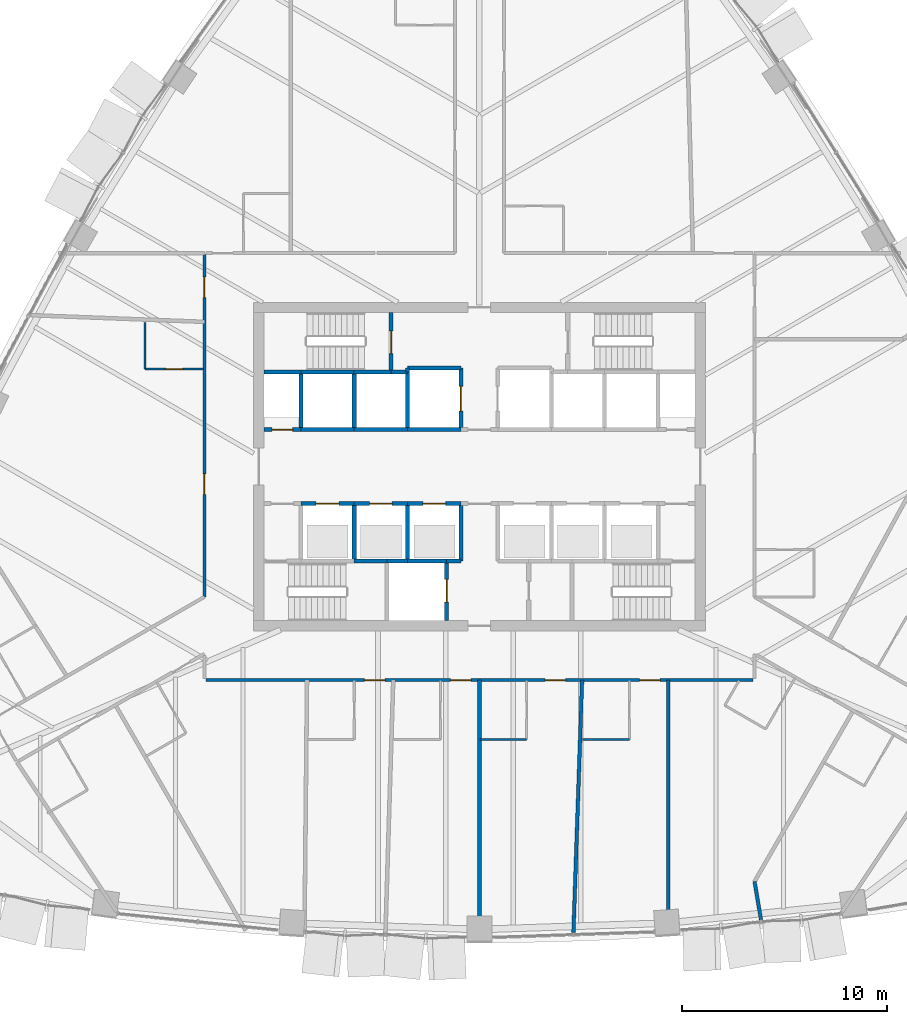
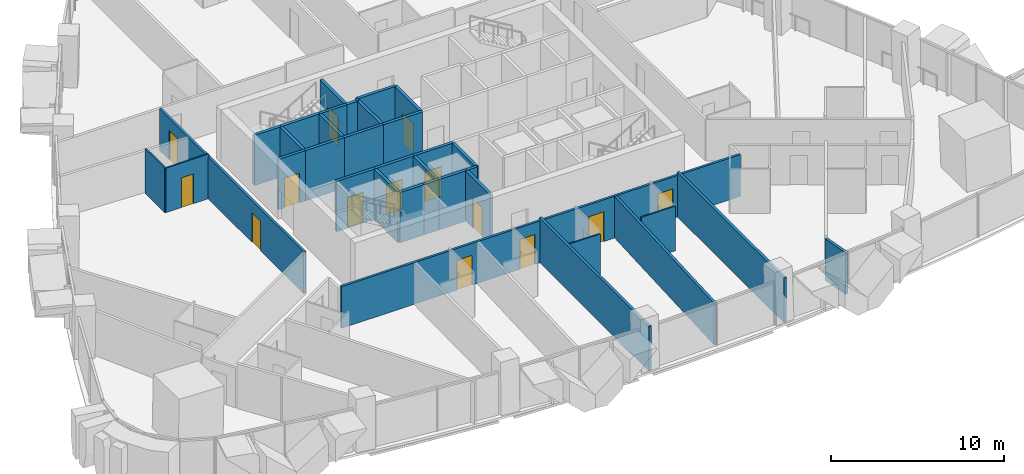
# One storey, part 12 of 19: 36 walls, 14 doors, 14 openings.
"""IFC4 building model written with IfcOpenShell, lengths in metres."""

from ifc_helpers import new_model, si_unit, direction, frame, frame_2d, origin, place, context, subcontext, project, spatial, rectangle, extrude, material, layer, layer_set, type_object, element, fill, save


model = new_model("IFC4")

# Units and contexts
model_context = context("Model", 3, precision=1e-05, world=origin(), true_north=direction((0.0, 1.0)))
body_context = subcontext(model_context, "Body", "Model", "MODEL_VIEW")
ifc_project = project(units=[si_unit("LENGTHUNIT", "METRE"), si_unit("AREAUNIT", "SQUARE_METRE"), si_unit("VOLUMEUNIT", "CUBIC_METRE"), si_unit("PLANEANGLEUNIT", "RADIAN"), si_unit("MASSUNIT", "GRAM", prefix="KILO")], contexts=[model_context])

# Site, building, storey
site_placement = place(None, origin())
site = spatial("IfcSite", under=ifc_project, at=site_placement, CompositionType="ELEMENT")
building_placement = place(site_placement, origin())
building = spatial("IfcBuilding", under=site, at=building_placement, Name="Sierra Prisma Convention Tower", CompositionType="ELEMENT")
storey_placement = place(building_placement, frame((0.0, 0.0, 77.60009765625)))
storey = spatial("IfcBuildingStorey", under=building, at=storey_placement, Name="L15", CompositionType="ELEMENT", Elevation=77.60009765625)

# Wall, opening, door
ifc_material_1 = material(Name="Gypsum board partition", Category="gypsum")
ifc_layer_1 = layer(ifc_material_1, 0.10009765625)
ifc_layer_set_1 = layer_set([ifc_layer_1], Name="Bathroom partition 100")
wall_type_1 = type_object("IfcWallType", Name="Bathroom partition 100", PredefinedType="PARTITIONING", material=ifc_layer_set_1)
wall_1_placement = place(storey_placement, frame((-13.429931640625, 4.7490234375, 0.0), z_axis=(0.0, 0.0, 1.0), x_axis=(-1.0, 0.0, 0.0)))
wall_1 = element("IfcWall", 1, at=wall_1_placement, inside=storey, type_object=wall_type_1, Name="Partition L15 bath 5", PredefinedType="PARTITIONING", context=body_context, shape_type="SweptSolid", body=[
    extrude(rectangle(XDim=2.8701171875, YDim=0.10009765625, at=frame_2d((1.43505859375, 0.0))), origin(), (0.0, 0.0, 1.0), 3.14990234375),
])
opening_1_placement = place(wall_1_placement, frame((1.034912109375, 0.0, 0.0)))
opening_1 = element("IfcOpeningElement", 2, at=opening_1_placement, cuts=wall_1, Name="Opening L15-D005", PredefinedType="OPENING", context=body_context, shape_type="SweptSolid", body=[
    extrude(rectangle(XDim=0.800048828125, YDim=2.10009765625, at=frame_2d((0.39990234375, 1.050048828125))), frame((0.0, 0.050048828125, 0.0), z_axis=(0.0, -1.0, 0.0), x_axis=(1.0, 0.0, 0.0)), (0.0, 0.0, 1.0), 0.10009765625),
])
ifc_material_2 = material(Name="Solid core timber door leaf", Category="wood")
door_type_1 = type_object("IfcDoorType", Name="Door 800x2100 plain", OperationType="SINGLE_SWING_LEFT", PredefinedType="DOOR", material=ifc_material_2)
door_1_placement = place(opening_1_placement, origin())
door_1 = element("IfcDoor", 3, at=door_1_placement, inside=storey, type_object=door_type_1, Name="Door L15 14", OperationType="SINGLE_SWING_RIGHT", OverallHeight=2.10009765625, OverallWidth=0.800048828125, PredefinedType="DOOR", context=body_context, shape_type="SweptSolid", body=[
    extrude(rectangle(XDim=0.800048828125, YDim=2.10009765625, at=frame_2d((0.39990234375, 1.050048828125))), frame((0.0, 0.02490234375, 0.0), z_axis=(0.0, -1.0, 0.0), x_axis=(1.0, 0.0, 0.0)), (0.0, 0.0, 1.0), 0.050048828125),
])
fill(opening_1, door_1)

# Walls
wall_2_placement = place(storey_placement, frame((-16.300048828125, 4.7490234375, 0.0), z_axis=(0.0, 0.0, 1.0), x_axis=(0.0, 1.0, 0.0)))
element("IfcWall", 4, at=wall_2_placement, inside=storey, type_object=wall_type_1, Name="Partition L15 bath 6", PredefinedType="PARTITIONING", context=body_context, shape_type="SweptSolid", body=[
    extrude(rectangle(XDim=2.27001953125, YDim=0.10009765625, at=frame_2d((1.135009765625, 0.0))), origin(), (0.0, 0.0, 1.0), 3.14990234375),
])
wall_3_placement = place(storey_placement, frame((2.300048828125, -13.300048828125, 0.0), z_axis=(0.0, 0.0, 1.0), x_axis=(-1.0, 0.0, 0.0)))
element("IfcWall", 5, at=wall_3_placement, inside=storey, type_object=wall_type_1, Name="Partition L15 bath 18", PredefinedType="PARTITIONING", context=body_context, shape_type="SweptSolid", body=[
    extrude(rectangle(XDim=2.27001953125, YDim=0.10009765625, at=frame_2d((1.135009765625, 0.0))), origin(), (0.0, 0.0, 1.0), 2.947021484375),
])
wall_4_placement = place(storey_placement, frame((7.300048828125, -13.300048828125, 0.0), z_axis=(0.0, 0.0, 1.0), x_axis=(-1.0, 0.0, 0.0)))
element("IfcWall", 6, at=wall_4_placement, inside=storey, type_object=wall_type_1, Name="Partition L15 bath 22", PredefinedType="PARTITIONING", context=body_context, shape_type="SweptSolid", body=[
    extrude(rectangle(XDim=2.27001953125, YDim=0.10009765625, at=frame_2d((1.135009765625, 0.0))), origin(), (0.0, 0.0, 1.0), 3.14990234375),
])

# Wall, opening, door
ifc_material_3 = material(Name="Concrete C30/37", Category="concrete")
ifc_layer_2 = layer(ifc_material_3, 0.199951171875)
ifc_layer_set_2 = layer_set([ifc_layer_2], Name="Core wall RC 200 C30/37")
wall_type_2 = type_object("IfcWallType", Name="Core wall RC 200 C30/37", PredefinedType="SOLIDWALL", material=ifc_layer_set_2)
wall_5_placement = place(storey_placement, frame((-8.699951171875, 1.800048828125, 0.0), z_axis=(0.0, 0.0, 1.0), x_axis=(-1.0, 0.0, 0.0)))
wall_5 = element("IfcWall", 7, at=wall_5_placement, inside=storey, type_object=wall_type_2, Name="Core wall L15 3", PredefinedType="SOLIDWALL", context=body_context, shape_type="SweptSolid", body=[
    extrude(rectangle(XDim=1.800048828125, YDim=0.199951171875, at=frame_2d((0.89990234375, 0.0))), origin(), (0.0, 0.0, 1.0), 3.5498046875),
])
opening_2_placement = place(wall_5_placement, frame((0.39990234375, 0.0, 0.0)))
opening_2 = element("IfcOpeningElement", 8, at=opening_2_placement, cuts=wall_5, Name="Opening L15-D029", PredefinedType="OPENING", context=body_context, shape_type="SweptSolid", body=[
    extrude(rectangle(XDim=1.0, YDim=2.10009765625, at=frame_2d((0.5, 1.050048828125))), frame((0.0, 0.10009765625, 0.0), z_axis=(0.0, -1.0, 0.0), x_axis=(1.0, 0.0, 0.0)), (0.0, 0.0, 1.0), 0.199951171875),
])
ifc_material_4 = material(Name="Steel fire door leaf", Category="steel")
door_type_2 = type_object("IfcDoorType", Name="Door 1000x2100 FD60S", OperationType="SINGLE_SWING_LEFT", PredefinedType="DOOR", material=ifc_material_4)
door_2_placement = place(opening_2_placement, origin())
door_2 = element("IfcDoor", 9, at=door_2_placement, inside=storey, type_object=door_type_2, Name="Door L15 51", OperationType="SINGLE_SWING_RIGHT", OverallHeight=2.10009765625, OverallWidth=1.0, PredefinedType="DOOR", context=body_context, shape_type="SweptSolid", body=[
    extrude(rectangle(XDim=1.0, YDim=2.10009765625, at=frame_2d((0.5, 1.050048828125))), frame((0.0, 0.02490234375, 0.0), z_axis=(0.0, -1.0, 0.0), x_axis=(1.0, 0.0, 0.0)), (0.0, 0.0, 1.0), 0.050048828125),
])
fill(opening_2, door_2)

# Wall
wall_6_placement = place(storey_placement, frame((-8.699951171875, 4.60009765625, 0.0), z_axis=(0.0, 0.0, 1.0), x_axis=(-1.0, 0.0, 0.0)))
element("IfcWall", 10, at=wall_6_placement, inside=storey, type_object=wall_type_2, Name="Core wall L15 4", PredefinedType="SOLIDWALL", context=body_context, shape_type="SweptSolid", body=[
    extrude(rectangle(XDim=1.800048828125, YDim=0.199951171875, at=frame_2d((0.89990234375, 0.0))), origin(), (0.0, 0.0, 1.0), 3.5498046875),
])

# Wall, opening, door
wall_7_placement = place(storey_placement, frame((-8.699951171875, -1.800048828125, 0.0), z_axis=(0.0, 0.0, 1.0), x_axis=(1.0, 0.0, 0.0)))
wall_7 = element("IfcWall", 11, at=wall_7_placement, inside=storey, type_object=wall_type_2, Name="Core wall L15 7", PredefinedType="SOLIDWALL", context=body_context, shape_type="SweptSolid", body=[
    extrude(rectangle(XDim=2.599853515625, YDim=0.199951171875, at=frame_2d((1.2998046875, 0.0))), origin(), (0.0, 0.0, 1.0), 3.5498046875),
])
opening_3_placement = place(wall_7_placement, frame((0.75, 0.0, 0.0)))
opening_3 = element("IfcOpeningElement", 12, at=opening_3_placement, cuts=wall_7, Name="Opening L15-D016", PredefinedType="OPENING", context=body_context, shape_type="SweptSolid", body=[
    extrude(rectangle(XDim=1.10009765625, YDim=2.10009765625, at=frame_2d((0.550048828125, 1.050048828125))), frame((0.0, 0.10009765625, 0.0), z_axis=(0.0, -1.0, 0.0), x_axis=(1.0, 0.0, 0.0)), (0.0, 0.0, 1.0), 0.199951171875),
])
ifc_material_5 = material(Name="Steel fire door leaf", Category="steel")
door_type_3 = type_object("IfcDoorType", Name="Door 1100x2100 EI 90 sliding lift landing", OperationType="SLIDING_TO_LEFT", PredefinedType="DOOR", material=ifc_material_5)
door_3_placement = place(opening_3_placement, origin())
door_3 = element("IfcDoor", 13, at=door_3_placement, inside=storey, type_object=door_type_3, Name="Door L15 38", OperationType="SLIDING_TO_RIGHT", OverallHeight=2.10009765625, OverallWidth=1.10009765625, PredefinedType="DOOR", context=body_context, shape_type="SweptSolid", body=[
    extrude(rectangle(XDim=1.10009765625, YDim=2.10009765625, at=frame_2d((0.550048828125, 1.050048828125))), frame((0.0, 0.02490234375, 0.0), z_axis=(0.0, -1.0, 0.0), x_axis=(1.0, 0.0, 0.0)), (0.0, 0.0, 1.0), 0.050048828125),
])
fill(opening_3, door_3)

# Walls
wall_8_placement = place(storey_placement, frame((-6.10009765625, 1.800048828125, 0.0), z_axis=(0.0, 0.0, 1.0), x_axis=(-1.0, 0.0, 0.0)))
element("IfcWall", 14, at=wall_8_placement, inside=storey, type_object=wall_type_2, Name="Core wall L15 8", PredefinedType="SOLIDWALL", context=body_context, shape_type="SweptSolid", body=[
    extrude(rectangle(XDim=2.599853515625, YDim=0.199951171875, at=frame_2d((1.2998046875, 0.0))), origin(), (0.0, 0.0, 1.0), 3.5498046875),
])
wall_9_placement = place(storey_placement, frame((-8.699951171875, 1.800048828125, 0.0), z_axis=(0.0, 0.0, 1.0), x_axis=(0.0, 1.0, 0.0)))
element("IfcWall", 15, at=wall_9_placement, inside=storey, type_object=wall_type_2, Name="Core wall L15 9", PredefinedType="SOLIDWALL", context=body_context, shape_type="SweptSolid", body=[
    extrude(rectangle(XDim=2.800048828125, YDim=0.199951171875, at=frame_2d((1.39990234375, 0.0))), origin(), (0.0, 0.0, 1.0), 3.5498046875),
])
wall_10_placement = place(storey_placement, frame((-6.10009765625, 4.60009765625, 0.0), z_axis=(0.0, 0.0, 1.0), x_axis=(-1.0, 0.0, 0.0)))
element("IfcWall", 16, at=wall_10_placement, inside=storey, type_object=wall_type_2, Name="Core wall L15 10", PredefinedType="SOLIDWALL", context=body_context, shape_type="SweptSolid", body=[
    extrude(rectangle(XDim=2.599853515625, YDim=0.199951171875, at=frame_2d((1.2998046875, 0.0))), origin(), (0.0, 0.0, 1.0), 3.5498046875),
])
wall_11_placement = place(storey_placement, frame((-6.10009765625, -4.60009765625, 0.0), z_axis=(0.0, 0.0, 1.0), x_axis=(1.0, 0.0, 0.0)))
element("IfcWall", 17, at=wall_11_placement, inside=storey, type_object=wall_type_2, Name="Core wall L15 11", PredefinedType="SOLIDWALL", context=body_context, shape_type="SweptSolid", body=[
    extrude(rectangle(XDim=1.60009765625, YDim=0.199951171875, at=frame_2d((0.800048828125, 0.0))), origin(), (0.0, 0.0, 1.0), 3.5498046875),
])
wall_12_placement = place(storey_placement, frame((-6.10009765625, -4.60009765625, 0.0), z_axis=(0.0, 0.0, 1.0), x_axis=(0.0, 1.0, 0.0)))
element("IfcWall", 18, at=wall_12_placement, inside=storey, type_object=wall_type_2, Name="Core wall L15 12", PredefinedType="SOLIDWALL", context=body_context, shape_type="SweptSolid", body=[
    extrude(rectangle(XDim=2.800048828125, YDim=0.199951171875, at=frame_2d((1.39990234375, 0.0))), origin(), (0.0, 0.0, 1.0), 3.5498046875),
])

# Wall, opening, door
wall_13_placement = place(storey_placement, frame((-6.10009765625, -1.800048828125, 0.0), z_axis=(0.0, 0.0, 1.0), x_axis=(1.0, 0.0, 0.0)))
wall_13 = element("IfcWall", 19, at=wall_13_placement, inside=storey, type_object=wall_type_2, Name="Core wall L15 13", PredefinedType="SOLIDWALL", context=body_context, shape_type="SweptSolid", body=[
    extrude(rectangle(XDim=2.60009765625, YDim=0.199951171875, at=frame_2d((1.300048828125, 0.0))), origin(), (0.0, 0.0, 1.0), 3.5498046875),
])
opening_4_placement = place(wall_13_placement, frame((0.75, 0.0, 0.0)))
opening_4 = element("IfcOpeningElement", 20, at=opening_4_placement, cuts=wall_13, Name="Opening L15-D017", PredefinedType="OPENING", context=body_context, shape_type="SweptSolid", body=[
    extrude(rectangle(XDim=1.10009765625, YDim=2.10009765625, at=frame_2d((0.550048828125, 1.050048828125))), frame((0.0, 0.10009765625, 0.0), z_axis=(0.0, -1.0, 0.0), x_axis=(1.0, 0.0, 0.0)), (0.0, 0.0, 1.0), 0.199951171875),
])
door_4_placement = place(opening_4_placement, origin())
door_4 = element("IfcDoor", 21, at=door_4_placement, inside=storey, type_object=door_type_3, Name="Door L15 39", OperationType="SLIDING_TO_LEFT", OverallHeight=2.10009765625, OverallWidth=1.10009765625, PredefinedType="DOOR", context=body_context, shape_type="SweptSolid", body=[
    extrude(rectangle(XDim=1.10009765625, YDim=2.10009765625, at=frame_2d((0.550048828125, 1.050048828125))), frame((0.0, 0.02490234375, 0.0), z_axis=(0.0, -1.0, 0.0), x_axis=(1.0, 0.0, 0.0)), (0.0, 0.0, 1.0), 0.050048828125),
])
fill(opening_4, door_4)

# Walls
wall_14_placement = place(storey_placement, frame((-3.5, 1.800048828125, 0.0), z_axis=(0.0, 0.0, 1.0), x_axis=(-1.0, 0.0, 0.0)))
element("IfcWall", 22, at=wall_14_placement, inside=storey, type_object=wall_type_2, Name="Core wall L15 14", PredefinedType="SOLIDWALL", context=body_context, shape_type="SweptSolid", body=[
    extrude(rectangle(XDim=2.60009765625, YDim=0.199951171875, at=frame_2d((1.300048828125, 0.0))), origin(), (0.0, 0.0, 1.0), 3.5498046875),
])
wall_15_placement = place(storey_placement, frame((-6.10009765625, 1.800048828125, 0.0), z_axis=(0.0, 0.0, 1.0), x_axis=(0.0, 1.0, 0.0)))
element("IfcWall", 23, at=wall_15_placement, inside=storey, type_object=wall_type_2, Name="Core wall L15 15", PredefinedType="SOLIDWALL", context=body_context, shape_type="SweptSolid", body=[
    extrude(rectangle(XDim=2.800048828125, YDim=0.199951171875, at=frame_2d((1.39990234375, 0.0))), origin(), (0.0, 0.0, 1.0), 3.5498046875),
])
wall_16_placement = place(storey_placement, frame((-4.300048828125, 4.60009765625, 0.0), z_axis=(0.0, 0.0, 1.0), x_axis=(-1.0, 0.0, 0.0)))
element("IfcWall", 24, at=wall_16_placement, inside=storey, type_object=wall_type_2, Name="Core wall L15 16", PredefinedType="SOLIDWALL", context=body_context, shape_type="SweptSolid", body=[
    extrude(rectangle(XDim=1.800048828125, YDim=0.199951171875, at=frame_2d((0.89990234375, 0.0))), origin(), (0.0, 0.0, 1.0), 3.5498046875),
])
wall_17_placement = place(storey_placement, frame((-4.5, -4.60009765625, 0.0), z_axis=(0.0, 0.0, 1.0), x_axis=(1.0, 0.0, 0.0)))
element("IfcWall", 25, at=wall_17_placement, inside=storey, type_object=wall_type_2, Name="Core wall L15 18", PredefinedType="SOLIDWALL", context=body_context, shape_type="SweptSolid", body=[
    extrude(rectangle(XDim=1.0, YDim=0.199951171875, at=frame_2d((0.5, 0.0))), origin(), (0.0, 0.0, 1.0), 3.5498046875),
])
wall_18_placement = place(storey_placement, frame((-3.5, 4.60009765625, 0.0), z_axis=(0.0, 0.0, 1.0), x_axis=(-1.0, 0.0, 0.0)))
element("IfcWall", 26, at=wall_18_placement, inside=storey, type_object=wall_type_2, Name="Core wall L15 19", PredefinedType="SOLIDWALL", context=body_context, shape_type="SweptSolid", body=[
    extrude(rectangle(XDim=0.800048828125, YDim=0.199951171875, at=frame_2d((0.39990234375, 0.0))), origin(), (0.0, 0.0, 1.0), 3.5498046875),
])

# Wall, opening, door
wall_19_placement = place(storey_placement, frame((-4.300048828125, 4.60009765625, 0.0), z_axis=(0.0, 0.0, 1.0), x_axis=(0.0, 1.0, 0.0)))
wall_19 = element("IfcWall", 27, at=wall_19_placement, inside=storey, type_object=wall_type_2, Name="Core wall L15 20", PredefinedType="SOLIDWALL", context=body_context, shape_type="SweptSolid", body=[
    extrude(rectangle(XDim=2.89990234375, YDim=0.199951171875, at=frame_2d((1.449951171875, 0.0))), origin(), (0.0, 0.0, 1.0), 3.5498046875),
])
opening_5_placement = place(wall_19_placement, frame((0.89990234375, 0.0, 0.0)))
opening_5 = element("IfcOpeningElement", 28, at=opening_5_placement, cuts=wall_19, Name="Opening L15-D033", PredefinedType="OPENING", context=body_context, shape_type="SweptSolid", body=[
    extrude(rectangle(XDim=1.10009765625, YDim=2.10009765625, at=frame_2d((0.550048828125, 1.050048828125))), frame((0.0, 0.10009765625, 0.0), z_axis=(0.0, -1.0, 0.0), x_axis=(1.0, 0.0, 0.0)), (0.0, 0.0, 1.0), 0.199951171875),
])
ifc_material_6 = material(Name="Steel fire door leaf", Category="steel")
door_type_4 = type_object("IfcDoorType", Name="Door 1100x2100 FD90S", OperationType="SINGLE_SWING_LEFT", PredefinedType="DOOR", material=ifc_material_6)
door_5_placement = place(opening_5_placement, origin())
door_5 = element("IfcDoor", 29, at=door_5_placement, inside=storey, type_object=door_type_4, Name="Door L15 55", OperationType="SINGLE_SWING_LEFT", OverallHeight=2.10009765625, OverallWidth=1.10009765625, PredefinedType="DOOR", context=body_context, shape_type="SweptSolid", body=[
    extrude(rectangle(XDim=1.10009765625, YDim=2.10009765625, at=frame_2d((0.550048828125, 1.050048828125))), frame((0.0, 0.02490234375, 0.0), z_axis=(0.0, -1.0, 0.0), x_axis=(1.0, 0.0, 0.0)), (0.0, 0.0, 1.0), 0.050048828125),
])
fill(opening_5, door_5)

# Walls
wall_20_placement = place(storey_placement, frame((-3.5, -4.60009765625, 0.0), z_axis=(0.0, 0.0, 1.0), x_axis=(1.0, 0.0, 0.0)))
element("IfcWall", 30, at=wall_20_placement, inside=storey, type_object=wall_type_2, Name="Core wall L15 21", PredefinedType="SOLIDWALL", context=body_context, shape_type="SweptSolid", body=[
    extrude(rectangle(XDim=1.89990234375, YDim=0.199951171875, at=frame_2d((0.949951171875, 0.0))), origin(), (0.0, 0.0, 1.0), 3.5498046875),
])
wall_21_placement = place(storey_placement, frame((-3.5, -4.60009765625, 0.0), z_axis=(0.0, 0.0, 1.0), x_axis=(0.0, 1.0, 0.0)))
element("IfcWall", 31, at=wall_21_placement, inside=storey, type_object=wall_type_2, Name="Core wall L15 22", PredefinedType="SOLIDWALL", context=body_context, shape_type="SweptSolid", body=[
    extrude(rectangle(XDim=2.800048828125, YDim=0.199951171875, at=frame_2d((1.39990234375, 0.0))), origin(), (0.0, 0.0, 1.0), 3.5498046875),
])

# Wall, opening, door
wall_22_placement = place(storey_placement, frame((-3.5, -1.800048828125, 0.0), z_axis=(0.0, 0.0, 1.0), x_axis=(1.0, 0.0, 0.0)))
wall_22 = element("IfcWall", 32, at=wall_22_placement, inside=storey, type_object=wall_type_2, Name="Core wall L15 23", PredefinedType="SOLIDWALL", context=body_context, shape_type="SweptSolid", body=[
    extrude(rectangle(XDim=2.60009765625, YDim=0.199951171875, at=frame_2d((1.300048828125, 0.0))), origin(), (0.0, 0.0, 1.0), 3.5498046875),
])
opening_6_placement = place(wall_22_placement, frame((0.75, 0.0, 0.0)))
opening_6 = element("IfcOpeningElement", 33, at=opening_6_placement, cuts=wall_22, Name="Opening L15-D018", PredefinedType="OPENING", context=body_context, shape_type="SweptSolid", body=[
    extrude(rectangle(XDim=1.10009765625, YDim=2.10009765625, at=frame_2d((0.550048828125, 1.050048828125))), frame((0.0, 0.10009765625, 0.0), z_axis=(0.0, -1.0, 0.0), x_axis=(1.0, 0.0, 0.0)), (0.0, 0.0, 1.0), 0.199951171875),
])
door_6_placement = place(opening_6_placement, origin())
door_6 = element("IfcDoor", 34, at=door_6_placement, inside=storey, type_object=door_type_3, Name="Door L15 40", OperationType="SLIDING_TO_LEFT", OverallHeight=2.10009765625, OverallWidth=1.10009765625, PredefinedType="DOOR", context=body_context, shape_type="SweptSolid", body=[
    extrude(rectangle(XDim=1.10009765625, YDim=2.10009765625, at=frame_2d((0.550048828125, 1.050048828125))), frame((0.0, 0.02490234375, 0.0), z_axis=(0.0, -1.0, 0.0), x_axis=(1.0, 0.0, 0.0)), (0.0, 0.0, 1.0), 0.050048828125),
])
fill(opening_6, door_6)

# Walls
wall_23_placement = place(storey_placement, frame((-0.89990234375, 1.800048828125, 0.0), z_axis=(0.0, 0.0, 1.0), x_axis=(-1.0, 0.0, 0.0)))
element("IfcWall", 35, at=wall_23_placement, inside=storey, type_object=wall_type_2, Name="Core wall L15 24", PredefinedType="SOLIDWALL", context=body_context, shape_type="SweptSolid", body=[
    extrude(rectangle(XDim=2.60009765625, YDim=0.199951171875, at=frame_2d((1.300048828125, 0.0))), origin(), (0.0, 0.0, 1.0), 3.5498046875),
])
wall_24_placement = place(storey_placement, frame((-3.5, 4.60009765625, 0.0), z_axis=(0.0, 0.0, 1.0), x_axis=(0.0, -1.0, 0.0)))
element("IfcWall", 36, at=wall_24_placement, inside=storey, type_object=wall_type_2, Name="Core wall L15 25", PredefinedType="SOLIDWALL", context=body_context, shape_type="SweptSolid", body=[
    extrude(rectangle(XDim=2.800048828125, YDim=0.199951171875, at=frame_2d((1.39990234375, 0.0))), origin(), (0.0, 0.0, 1.0), 3.5498046875),
])

# Wall, opening, door
wall_25_placement = place(storey_placement, frame((-0.89990234375, 1.800048828125, 0.0), z_axis=(0.0, 0.0, 1.0), x_axis=(0.0, 1.0, 0.0)))
wall_25 = element("IfcWall", 37, at=wall_25_placement, inside=storey, type_object=wall_type_2, Name="Core wall L15 26", PredefinedType="SOLIDWALL", context=body_context, shape_type="SweptSolid", body=[
    extrude(rectangle(XDim=3.0, YDim=0.199951171875, at=frame_2d((1.5, 0.0))), origin(), (0.0, 0.0, 1.0), 3.5498046875),
])
opening_7_placement = place(wall_25_placement, frame((0.89990234375, 0.0, 0.0)))
opening_7 = element("IfcOpeningElement", 38, at=opening_7_placement, cuts=wall_25, Name="Opening L15-D022", PredefinedType="OPENING", context=body_context, shape_type="SweptSolid", body=[
    extrude(rectangle(XDim=1.199951171875, YDim=2.10009765625, at=frame_2d((0.60009765625, 1.050048828125))), frame((0.0, 0.10009765625, 0.0), z_axis=(0.0, -1.0, 0.0), x_axis=(1.0, 0.0, 0.0)), (0.0, 0.0, 1.0), 0.199951171875),
])
ifc_material_7 = material(Name="Steel fire door leaf", Category="steel")
door_type_5 = type_object("IfcDoorType", Name="Door 1200x2100 EI 90 sliding lift landing", OperationType="SLIDING_TO_LEFT", PredefinedType="DOOR", material=ifc_material_7)
door_7_placement = place(opening_7_placement, origin())
door_7 = element("IfcDoor", 39, at=door_7_placement, inside=storey, type_object=door_type_5, Name="Door L15 44", OperationType="SLIDING_TO_LEFT", OverallHeight=2.10009765625, OverallWidth=1.199951171875, PredefinedType="DOOR", context=body_context, shape_type="SweptSolid", body=[
    extrude(rectangle(XDim=1.199951171875, YDim=2.10009765625, at=frame_2d((0.60009765625, 1.050048828125))), frame((0.0, 0.02490234375, 0.0), z_axis=(0.0, -1.0, 0.0), x_axis=(1.0, 0.0, 0.0)), (0.0, 0.0, 1.0), 0.050048828125),
])
fill(opening_7, door_7)

# Walls
wall_26_placement = place(storey_placement, frame((-0.89990234375, 4.800048828125, 0.0), z_axis=(0.0, 0.0, 1.0), x_axis=(-1.0, 0.0, 0.0)))
element("IfcWall", 40, at=wall_26_placement, inside=storey, type_object=wall_type_2, Name="Core wall L15 27", PredefinedType="SOLIDWALL", context=body_context, shape_type="SweptSolid", body=[
    extrude(rectangle(XDim=2.60009765625, YDim=0.199951171875, at=frame_2d((1.300048828125, 0.0))), origin(), (0.0, 0.0, 1.0), 3.5498046875),
])
wall_27_placement = place(storey_placement, frame((-3.5, 4.800048828125, 0.0), z_axis=(0.0, 0.0, 1.0), x_axis=(0.0, -1.0, 0.0)))
element("IfcWall", 41, at=wall_27_placement, inside=storey, type_object=wall_type_2, Name="Core wall L15 28", PredefinedType="SOLIDWALL", context=body_context, shape_type="SweptSolid", body=[
    extrude(rectangle(XDim=0.199951171875, YDim=0.199951171875, at=frame_2d((0.10009765625, 0.0))), origin(), (0.0, 0.0, 1.0), 3.5498046875),
])

# Wall, opening, door
wall_28_placement = place(storey_placement, frame((-1.60009765625, -7.5, 0.0), z_axis=(0.0, 0.0, 1.0), x_axis=(0.0, 1.0, 0.0)))
wall_28 = element("IfcWall", 42, at=wall_28_placement, inside=storey, type_object=wall_type_2, Name="Core wall L15 29", PredefinedType="SOLIDWALL", context=body_context, shape_type="SweptSolid", body=[
    extrude(rectangle(XDim=2.89990234375, YDim=0.199951171875, at=frame_2d((1.449951171875, 0.0))), origin(), (0.0, 0.0, 1.0), 3.5498046875),
])
opening_8_placement = place(wall_28_placement, frame((0.89990234375, 0.0, 0.0)))
opening_8 = element("IfcOpeningElement", 43, at=opening_8_placement, cuts=wall_28, Name="Opening L15-D024", PredefinedType="OPENING", context=body_context, shape_type="SweptSolid", body=[
    extrude(rectangle(XDim=1.10009765625, YDim=2.10009765625, at=frame_2d((0.550048828125, 1.050048828125))), frame((0.0, 0.10009765625, 0.0), z_axis=(0.0, -1.0, 0.0), x_axis=(1.0, 0.0, 0.0)), (0.0, 0.0, 1.0), 0.199951171875),
])
door_8_placement = place(opening_8_placement, origin())
door_8 = element("IfcDoor", 44, at=door_8_placement, inside=storey, type_object=door_type_3, Name="Door L15 46", OperationType="SLIDING_TO_LEFT", OverallHeight=2.10009765625, OverallWidth=1.10009765625, PredefinedType="DOOR", context=body_context, shape_type="SweptSolid", body=[
    extrude(rectangle(XDim=1.10009765625, YDim=2.10009765625, at=frame_2d((0.550048828125, 1.050048828125))), frame((0.0, 0.02490234375, 0.0), z_axis=(0.0, -1.0, 0.0), x_axis=(1.0, 0.0, 0.0)), (0.0, 0.0, 1.0), 0.050048828125),
])
fill(opening_8, door_8)

# Walls
wall_29_placement = place(storey_placement, frame((-1.60009765625, -4.60009765625, 0.0), z_axis=(0.0, 0.0, 1.0), x_axis=(1.0, 0.0, 0.0)))
element("IfcWall", 45, at=wall_29_placement, inside=storey, type_object=wall_type_2, Name="Core wall L15 30", PredefinedType="SOLIDWALL", context=body_context, shape_type="SweptSolid", body=[
    extrude(rectangle(XDim=0.7001953125, YDim=0.199951171875, at=frame_2d((0.35009765625, 0.0))), origin(), (0.0, 0.0, 1.0), 3.5498046875),
])
wall_30_placement = place(storey_placement, frame((-0.89990234375, -4.60009765625, 0.0), z_axis=(0.0, 0.0, 1.0), x_axis=(0.0, 1.0, 0.0)))
element("IfcWall", 46, at=wall_30_placement, inside=storey, type_object=wall_type_2, Name="Core wall L15 31", PredefinedType="SOLIDWALL", context=body_context, shape_type="SweptSolid", body=[
    extrude(rectangle(XDim=2.800048828125, YDim=0.199951171875, at=frame_2d((1.39990234375, 0.0))), origin(), (0.0, 0.0, 1.0), 3.5498046875),
])

# Wall, openings, doors
ifc_material_8 = material(Name="Gypsum board partition", Category="gypsum")
ifc_layer_3 = layer(ifc_material_8, 0.14990234375)
ifc_layer_set_3 = layer_set([ifc_layer_3], Name="Corridor wall 150 gypsum EI 60")
wall_type_3 = type_object("IfcWallType", Name="Corridor wall 150 gypsum EI 60", PredefinedType="PARTITIONING", material=ifc_layer_set_3)
wall_31_placement = place(storey_placement, frame((-13.39990234375, 10.320068359375, 0.0), z_axis=(0.0, 0.0, 1.0), x_axis=(0.0, -1.0, 0.0)))
wall_31 = element("IfcWall", 47, at=wall_31_placement, inside=storey, type_object=wall_type_3, Name="Partition L15 corr 2", PredefinedType="PARTITIONING", context=body_context, shape_type="SweptSolid", body=[
    extrude(rectangle(XDim=16.6708984375, YDim=0.14990234375, at=frame_2d((8.33544921875, 0.0))), origin(), (0.0, 0.0, 1.0), 2.947021484375),
])
opening_9_placement = place(wall_31_placement, frame((1.095458984375, 0.0, 0.0)))
opening_9 = element("IfcOpeningElement", 48, at=opening_9_placement, cuts=wall_31, Name="Opening L15-D043", PredefinedType="OPENING", context=body_context, shape_type="SweptSolid", body=[
    extrude(rectangle(XDim=1.0, YDim=2.10009765625, at=frame_2d((0.5, 1.050048828125))), frame((0.0, 0.074951171875, 0.0), z_axis=(0.0, -1.0, 0.0), x_axis=(1.0, 0.0, 0.0)), (0.0, 0.0, 1.0), 0.14990234375),
])
opening_10_placement = place(wall_31_placement, frame((10.6708984375, 0.0, 0.0)))
opening_10 = element("IfcOpeningElement", 49, at=opening_10_placement, cuts=wall_31, Name="Opening L15-D044", PredefinedType="OPENING", context=body_context, shape_type="SweptSolid", body=[
    extrude(rectangle(XDim=1.0, YDim=2.10009765625, at=frame_2d((0.5, 1.050048828125))), frame((0.0, 0.074951171875, 0.0), z_axis=(0.0, -1.0, 0.0), x_axis=(1.0, 0.0, 0.0)), (0.0, 0.0, 1.0), 0.14990234375),
])
ifc_material_9 = material(Name="Steel fire door leaf", Category="steel")
door_type_6 = type_object("IfcDoorType", Name="Door 1000x2100 FD30S", OperationType="SINGLE_SWING_LEFT", PredefinedType="DOOR", material=ifc_material_9)
door_9_placement = place(opening_9_placement, origin())
door_9 = element("IfcDoor", 50, at=door_9_placement, inside=storey, type_object=door_type_6, Name="Door L15 12", OperationType="SINGLE_SWING_LEFT", OverallHeight=2.10009765625, OverallWidth=1.0, PredefinedType="DOOR", context=body_context, shape_type="SweptSolid", body=[
    extrude(rectangle(XDim=1.0, YDim=2.10009765625, at=frame_2d((0.5, 1.050048828125))), frame((0.0, 0.02490234375, 0.0), z_axis=(0.0, -1.0, 0.0), x_axis=(1.0, 0.0, 0.0)), (0.0, 0.0, 1.0), 0.050048828125),
])
fill(opening_9, door_9)
door_10_placement = place(opening_10_placement, origin())
door_10 = element("IfcDoor", 51, at=door_10_placement, inside=storey, type_object=door_type_6, Name="Door L15 13", OperationType="SINGLE_SWING_RIGHT", OverallHeight=2.10009765625, OverallWidth=1.0, PredefinedType="DOOR", context=body_context, shape_type="SweptSolid", body=[
    extrude(rectangle(XDim=1.0, YDim=2.10009765625, at=frame_2d((0.5, 1.050048828125))), frame((0.0, 0.02490234375, 0.0), z_axis=(0.0, -1.0, 0.0), x_axis=(1.0, 0.0, 0.0)), (0.0, 0.0, 1.0), 0.050048828125),
])
fill(opening_10, door_10)

wall_32_placement = place(storey_placement, frame((-13.320068359375, -10.39990234375, 0.0), z_axis=(0.0, 0.0, 1.0), x_axis=(1.0, 0.0, 0.0)))
wall_32 = element("IfcWall", 52, at=wall_32_placement, inside=storey, type_object=wall_type_3, Name="Partition L15 corr 6", PredefinedType="PARTITIONING", context=body_context, shape_type="SweptSolid", body=[
    extrude(rectangle(XDim=26.64013671875, YDim=0.14990234375, at=frame_2d((13.320068359375, 0.0))), origin(), (0.0, 0.0, 1.0), 2.947021484375),
])
opening_11_placement = place(wall_32_placement, frame((7.719970703125, 0.0, 0.0)))
opening_11 = element("IfcOpeningElement", 53, at=opening_11_placement, cuts=wall_32, Name="Opening L15-D049", PredefinedType="OPENING", context=body_context, shape_type="SweptSolid", body=[
    extrude(rectangle(XDim=1.0, YDim=2.10009765625, at=frame_2d((0.5, 1.050048828125))), frame((0.0, 0.074951171875, 0.0), z_axis=(0.0, -1.0, 0.0), x_axis=(1.0, 0.0, 0.0)), (0.0, 0.0, 1.0), 0.14990234375),
])
opening_12_placement = place(wall_32_placement, frame((11.919921875, 0.0, 0.0)))
opening_12 = element("IfcOpeningElement", 54, at=opening_12_placement, cuts=wall_32, Name="Opening L15-D050", PredefinedType="OPENING", context=body_context, shape_type="SweptSolid", body=[
    extrude(rectangle(XDim=1.0, YDim=2.10009765625, at=frame_2d((0.5, 1.050048828125))), frame((0.0, 0.074951171875, 0.0), z_axis=(0.0, -1.0, 0.0), x_axis=(1.0, 0.0, 0.0)), (0.0, 0.0, 1.0), 0.14990234375),
])
opening_13_placement = place(wall_32_placement, frame((16.52001953125, 0.0, 0.0)))
opening_13 = element("IfcOpeningElement", 55, at=opening_13_placement, cuts=wall_32, Name="Opening L15-D051", PredefinedType="OPENING", context=body_context, shape_type="SweptSolid", body=[
    extrude(rectangle(XDim=1.0, YDim=2.10009765625, at=frame_2d((0.5, 1.050048828125))), frame((0.0, 0.074951171875, 0.0), z_axis=(0.0, -1.0, 0.0), x_axis=(1.0, 0.0, 0.0)), (0.0, 0.0, 1.0), 0.14990234375),
])
opening_14_placement = place(wall_32_placement, frame((21.1201171875, 0.0, 0.0)))
opening_14 = element("IfcOpeningElement", 56, at=opening_14_placement, cuts=wall_32, Name="Opening L15-D052", PredefinedType="OPENING", context=body_context, shape_type="SweptSolid", body=[
    extrude(rectangle(XDim=1.0, YDim=2.10009765625, at=frame_2d((0.5, 1.050048828125))), frame((0.0, 0.074951171875, 0.0), z_axis=(0.0, -1.0, 0.0), x_axis=(1.0, 0.0, 0.0)), (0.0, 0.0, 1.0), 0.14990234375),
])
door_11_placement = place(opening_11_placement, origin())
door_11 = element("IfcDoor", 57, at=door_11_placement, inside=storey, type_object=door_type_6, Name="Door L15 22", OperationType="SINGLE_SWING_LEFT", OverallHeight=2.10009765625, OverallWidth=1.0, PredefinedType="DOOR", context=body_context, shape_type="SweptSolid", body=[
    extrude(rectangle(XDim=1.0, YDim=2.10009765625, at=frame_2d((0.5, 1.050048828125))), frame((0.0, 0.02490234375, 0.0), z_axis=(0.0, -1.0, 0.0), x_axis=(1.0, 0.0, 0.0)), (0.0, 0.0, 1.0), 0.050048828125),
])
fill(opening_11, door_11)
door_12_placement = place(opening_12_placement, origin())
door_12 = element("IfcDoor", 58, at=door_12_placement, inside=storey, type_object=door_type_6, Name="Door L15 24", OperationType="SINGLE_SWING_LEFT", OverallHeight=2.10009765625, OverallWidth=1.0, PredefinedType="DOOR", context=body_context, shape_type="SweptSolid", body=[
    extrude(rectangle(XDim=1.0, YDim=2.10009765625, at=frame_2d((0.5, 1.050048828125))), frame((0.0, 0.02490234375, 0.0), z_axis=(0.0, -1.0, 0.0), x_axis=(1.0, 0.0, 0.0)), (0.0, 0.0, 1.0), 0.050048828125),
])
fill(opening_12, door_12)
door_13_placement = place(opening_13_placement, origin())
door_13 = element("IfcDoor", 59, at=door_13_placement, inside=storey, type_object=door_type_6, Name="Door L15 26", OperationType="SINGLE_SWING_LEFT", OverallHeight=2.10009765625, OverallWidth=1.0, PredefinedType="DOOR", context=body_context, shape_type="SweptSolid", body=[
    extrude(rectangle(XDim=1.0, YDim=2.10009765625, at=frame_2d((0.5, 1.050048828125))), frame((0.0, 0.02490234375, 0.0), z_axis=(0.0, -1.0, 0.0), x_axis=(1.0, 0.0, 0.0)), (0.0, 0.0, 1.0), 0.050048828125),
])
fill(opening_13, door_13)
door_14_placement = place(opening_14_placement, origin())
door_14 = element("IfcDoor", 60, at=door_14_placement, inside=storey, type_object=door_type_6, Name="Door L15 28", OperationType="SINGLE_SWING_LEFT", OverallHeight=2.10009765625, OverallWidth=1.0, PredefinedType="DOOR", context=body_context, shape_type="SweptSolid", body=[
    extrude(rectangle(XDim=1.0, YDim=2.10009765625, at=frame_2d((0.5, 1.050048828125))), frame((0.0, 0.02490234375, 0.0), z_axis=(0.0, -1.0, 0.0), x_axis=(1.0, 0.0, 0.0)), (0.0, 0.0, 1.0), 0.050048828125),
])
fill(opening_14, door_14)

# Walls
ifc_material_10 = material(Name="Acoustic gypsum board partition", Category="gypsum")
ifc_layer_4 = layer(ifc_material_10, 0.175048828125)
ifc_layer_set_4 = layer_set([ifc_layer_4], Name="Guest room party wall 175 acoustic EI 60")
wall_type_4 = type_object("IfcWallType", Name="Guest room party wall 175 acoustic EI 60", PredefinedType="PARTITIONING", material=ifc_layer_set_4)
wall_33_placement = place(storey_placement, frame((0.0, -10.39990234375, 0.0), z_axis=(0.0, 0.0, 1.0), x_axis=(0.0, -1.0, 0.0)))
element("IfcWall", 61, at=wall_33_placement, inside=storey, type_object=wall_type_4, Name="Partition L15 hparty 12", PredefinedType="PARTITIONING", context=body_context, shape_type="SweptSolid", body=[
    extrude(rectangle(XDim=12.681396484375, YDim=0.175048828125, at=frame_2d((6.3408203125, 0.0))), origin(), (0.0, 0.0, 1.0), 3.14990234375),
])
wall_34_placement = place(storey_placement, frame((5.0, -10.39990234375, 0.0), z_axis=(0.0, 0.0, 1.0), x_axis=(-0.034252441484, -0.999413212967, 0.0)))
element("IfcWall", 62, at=wall_34_placement, inside=storey, type_object=wall_type_4, Name="Partition L15 hparty 15", PredefinedType="PARTITIONING", context=body_context, shape_type="SweptSolid", body=[
    extrude(rectangle(XDim=12.302490234375, YDim=0.175048828125, at=frame_2d((6.1513671875, 0.0))), origin(), (0.0, 0.0, 1.0), 2.933837890625),
])
wall_35_placement = place(storey_placement, frame((9.199951171875, -10.39990234375, 0.0), z_axis=(0.0, 0.0, 1.0), x_axis=(0.0, -1.0, 0.0)))
element("IfcWall", 63, at=wall_35_placement, inside=storey, type_object=wall_type_4, Name="Partition L15 hparty 16", PredefinedType="PARTITIONING", context=body_context, shape_type="SweptSolid", body=[
    extrude(rectangle(XDim=12.364013671875, YDim=0.175048828125, at=frame_2d((6.18212890625, 0.0))), origin(), (0.0, 0.0, 1.0), 3.14990234375),
])
wall_36_placement = place(storey_placement, frame((13.39990234375, -20.21240234375, 0.0), z_axis=(0.0, 0.0, 1.0), x_axis=(0.166811851032, -0.985988745552, 0.0)))
element("IfcWall", 64, at=wall_36_placement, inside=storey, type_object=wall_type_4, Name="Partition L15 hparty 19", PredefinedType="PARTITIONING", context=body_context, shape_type="SweptSolid", body=[
    extrude(rectangle(XDim=1.886474609375, YDim=0.175048828125, at=frame_2d((0.943359375, 0.0))), origin(), (0.0, 0.0, 1.0), 2.933837890625),
])

save(model, "model.ifc")
